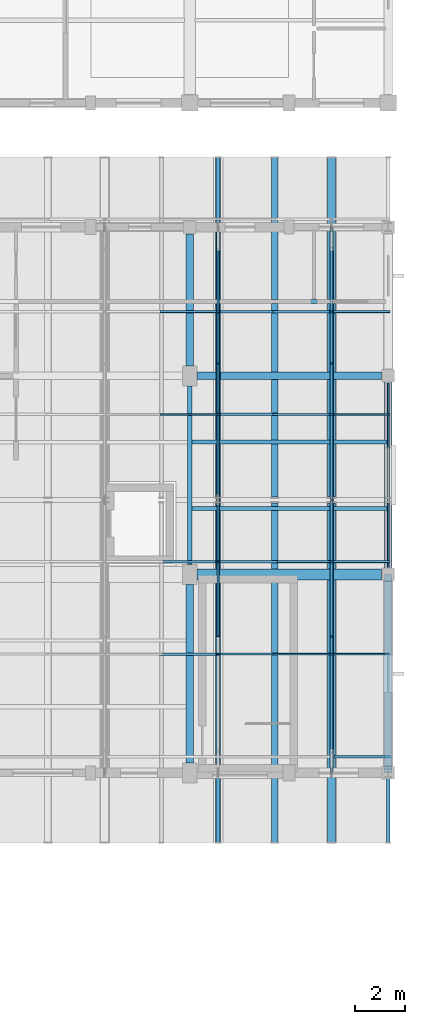
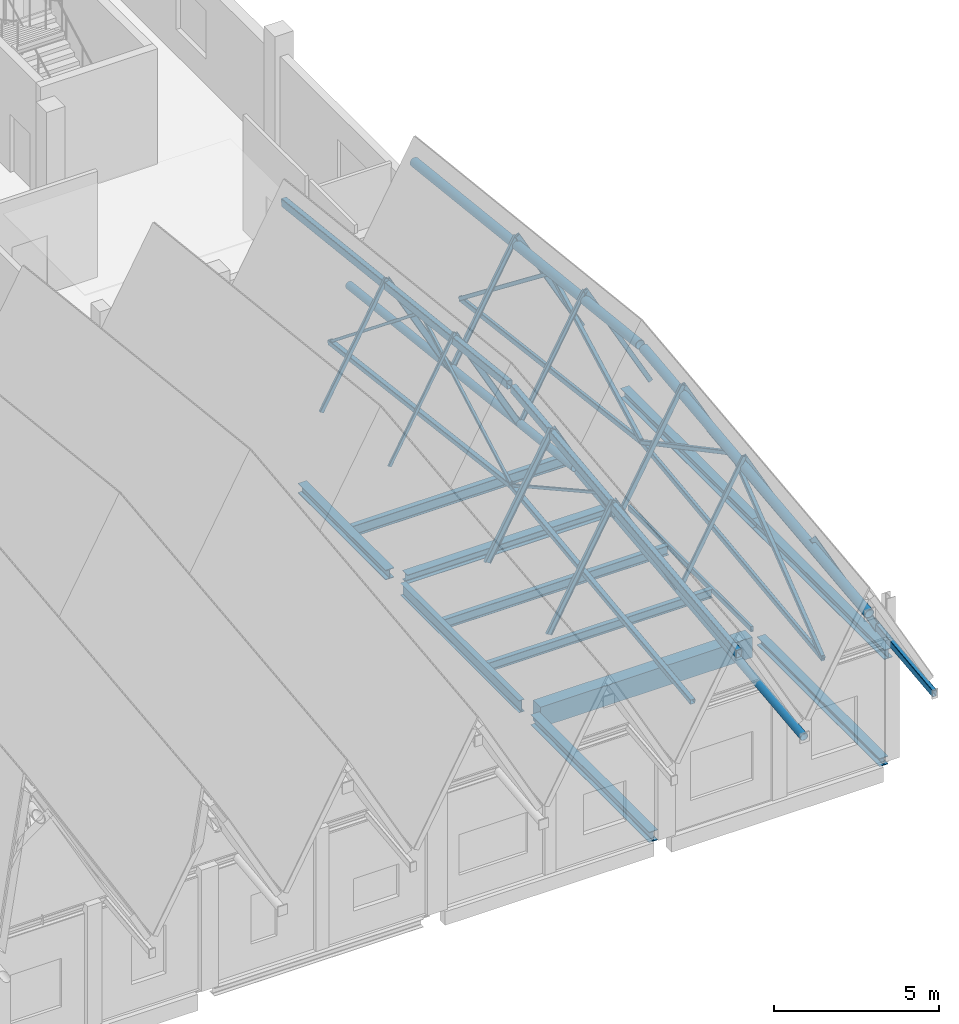
# One storey, part 21 of 48: 28 members, 19 beams.
"""IFC4 building model written with IfcOpenShell, lengths in metres."""

from ifc_helpers import new_model, si_unit, direction, frame, origin, origin_2d, place, context, subcontext, project, spatial, rectangle, hollow_rectangle, hollow_circle, i_section, extrude, material, material_profile, profile_set, type_object, element, save


model = new_model("IFC4")

# Units and contexts
model_context = context("Model", 3, precision=1e-05, world=origin(), true_north=direction((0.0, 1.0)))
body_context = subcontext(model_context, "Body", "Model", "MODEL_VIEW")
ifc_project = project(units=[si_unit("LENGTHUNIT", "METRE"), si_unit("AREAUNIT", "SQUARE_METRE"), si_unit("VOLUMEUNIT", "CUBIC_METRE"), si_unit("PLANEANGLEUNIT", "RADIAN"), si_unit("MASSUNIT", "GRAM", prefix="KILO")], contexts=[model_context])

# Site, building, storey
site_placement = place(None, origin())
site = spatial("IfcSite", under=ifc_project, at=site_placement, CompositionType="ELEMENT")
building_placement = place(site_placement, origin())
building = spatial("IfcBuilding", under=site, at=building_placement, Name="Luwemba Playhouse", CompositionType="ELEMENT")
storey_placement = place(building_placement, frame((0.0, 0.0, 13.800048828125)))
storey = spatial("IfcBuildingStorey", under=building, at=storey_placement, Name="L03", CompositionType="ELEMENT", Elevation=13.800048828125)

# Beams
ifc_material_1 = material(Name="Concrete C40/50", Category="concrete")
ifc_material_profile_1 = material_profile(ifc_material_1, rectangle(XDim=0.449951171875, YDim=0.75, at=origin_2d()))
ifc_profile_set_1 = profile_set([ifc_material_profile_1], Name="Concrete C40/50")
beam_type_1 = type_object("IfcBeamType", Name="BM-RB04", PredefinedType="BEAM", material=ifc_profile_set_1)
beam_1_placement = place(storey_placement, frame((164.300048828125, 76.0, -0.60498046875), z_axis=(1.0, 0.0, 0.0), x_axis=(0.0, 1.0, 0.0)))
element("IfcBeam", 1, at=beam_1_placement, inside=storey, type_object=beam_type_1, Name="L03 grid girder 0863", PredefinedType="BEAM", context=body_context, shape_type="SweptSolid", body=[
    extrude(rectangle(XDim=0.449951171875, YDim=0.75, at=origin_2d()), origin(), (0.0, 0.0, 1.0), 7.425048828125),
])
ifc_material_2 = material(Name="Steel S355", Category="steel")
ifc_material_profile_2 = material_profile(ifc_material_2, hollow_rectangle(XDim=0.14990234375, YDim=0.25, WallThickness=0.010009765625, InnerFilletRadius=0.014892578125, OuterFilletRadius=0.02490234375, at=origin_2d()))
ifc_profile_set_2 = profile_set([ifc_material_profile_2], Name="Steel S355")
beam_type_2 = type_object("IfcBeamType", Name="BM-RTG1", PredefinedType="USERDEFINED", material=ifc_profile_set_2)
beam_2_placement = place(storey_placement, frame((172.0, 65.199951171875, 4.000732421875), z_axis=(0.0, 0.99376734367, 0.111474062697), x_axis=(-1.0, 0.0, 0.0)))
element("IfcBeam", 2, at=beam_2_placement, inside=storey, type_object=beam_type_2, Name="ROOF TRUSS valley girder 0240", ObjectType="ROOF TRUSS", PredefinedType="USERDEFINED", context=body_context, shape_type="SweptSolid", body=[
    extrude(hollow_rectangle(XDim=0.14990234375, YDim=0.25, WallThickness=0.010009765625, InnerFilletRadius=0.014892578125, OuterFilletRadius=0.02490234375, at=origin_2d()), origin(), (0.0, 0.0, 1.0), 13.77587890625),
])
ifc_material_profile_3 = material_profile(ifc_material_2, hollow_rectangle(XDim=0.199951171875, YDim=0.300048828125, WallThickness=0.012451171875, InnerFilletRadius=0.018798828125, OuterFilletRadius=0.03125, at=origin_2d()))
ifc_profile_set_3 = profile_set([ifc_material_profile_3], Name="Steel S355")
beam_type_3 = type_object("IfcBeamType", Name="BM-RTG2", PredefinedType="USERDEFINED", material=ifc_profile_set_3)
for number, where, z_axis, x_axis, name in (
    (3, (165.142822265625, 65.199951171875, 7.876953125), (0.0, 0.993769306798, 0.111456560446), (-1.0, 0.0, 0.0), "ROOF TRUSS ridge girder 0234"),
    (4, (165.142822265625, 79.110107421875, 9.412353515625), (0.0, 0.993769306798, -0.111456560446), (-1.0, 0.0, 0.0), "ROOF TRUSS ridge girder 0235"),
):
    element("IfcBeam", number, at=place(storey_placement, frame(where, z_axis=z_axis, x_axis=x_axis)), inside=storey, type_object=beam_type_3, Name=name, ObjectType="ROOF TRUSS", PredefinedType="USERDEFINED", context=body_context, shape_type="SweptSolid", body=[
        extrude(hollow_rectangle(XDim=0.199951171875, YDim=0.300048828125, WallThickness=0.012451171875, InnerFilletRadius=0.018798828125, OuterFilletRadius=0.03125, at=origin_2d()), origin(), (0.0, 0.0, 1.0), 13.77587890625),
    ])
ifc_material_profile_4 = material_profile(ifc_material_2, hollow_circle(Radius=0.136474609375, WallThickness=0.012451171875, at=origin_2d()))
ifc_profile_set_4 = profile_set([ifc_material_profile_4], Name="Steel S355")
beam_type_4 = type_object("IfcBeamType", Name="BM-RTG3", PredefinedType="USERDEFINED", material=ifc_profile_set_4)
for number, where, z_axis, x_axis, name in (
    (5, (167.4287109375, 65.199951171875, 3.989501953125), (0.0, 0.993769306798, 0.111456560446), (-1.0, 0.0, 0.0), "ROOF TRUSS valley girder 0236"),
    (6, (167.4287109375, 79.110107421875, 5.52490234375), (0.0, 0.993769306798, -0.111456560446), (-1.0, 0.0, 0.0), "ROOF TRUSS valley girder 0237"),
):
    element("IfcBeam", number, at=place(storey_placement, frame(where, z_axis=z_axis, x_axis=x_axis)), inside=storey, type_object=beam_type_4, Name=name, ObjectType="ROOF TRUSS", PredefinedType="USERDEFINED", context=body_context, shape_type="SweptSolid", body=[
        extrude(hollow_circle(Radius=0.136474609375, WallThickness=0.012451171875, at=origin_2d()), origin(), (0.0, 0.0, 1.0), 13.77587890625),
    ])
ifc_material_profile_5 = material_profile(ifc_material_2, hollow_circle(Radius=0.161865234375, WallThickness=0.01611328125, at=origin_2d()))
ifc_profile_set_5 = profile_set([ifc_material_profile_5], Name="Steel S355")
beam_type_5 = type_object("IfcBeamType", Name="BM-RTG4", PredefinedType="USERDEFINED", material=ifc_profile_set_5)
for number, where, z_axis, x_axis, name in (
    (7, (169.71435546875, 65.199951171875, 7.751953125), (0.0, 0.99376734367, 0.111474062697), (-1.0, 0.0, 0.0), "ROOF TRUSS ridge girder 0238"),
    (8, (169.71435546875, 79.110107421875, 9.28759765625), (0.0, 0.99376734367, -0.111474062697), (-1.0, 0.0, 0.0), "ROOF TRUSS ridge girder 0239"),
):
    element("IfcBeam", number, at=place(storey_placement, frame(where, z_axis=z_axis, x_axis=x_axis)), inside=storey, type_object=beam_type_5, Name=name, ObjectType="ROOF TRUSS", PredefinedType="USERDEFINED", context=body_context, shape_type="SweptSolid", body=[
        extrude(hollow_circle(Radius=0.161865234375, WallThickness=0.01611328125, at=origin_2d()), origin(), (0.0, 0.0, 1.0), 13.77587890625),
    ])
ifc_material_profile_6 = material_profile(ifc_material_2, i_section(OverallWidth=0.300048828125, OverallDepth=0.330078125, WebThickness=0.009521484375, FlangeThickness=0.0166015625, FilletRadius=0.027099609375, at=origin_2d()))
ifc_profile_set_6 = profile_set([ifc_material_profile_6], Name="Steel S355")
beam_type_6 = type_object("IfcBeamType", Name="BM-SB04", PredefinedType="BEAM", material=ifc_profile_set_6)
beam_3_placement = place(storey_placement, frame((164.300048828125, 84.0, -0.39501953125), z_axis=(1.0, 0.0, 0.0), x_axis=(0.0, 1.0, 0.0)))
element("IfcBeam", 9, at=beam_3_placement, inside=storey, type_object=beam_type_6, Name="L03 grid girder 0867", PredefinedType="BEAM", context=body_context, shape_type="SweptSolid", body=[
    extrude(i_section(OverallWidth=0.300048828125, OverallDepth=0.330078125, WebThickness=0.009521484375, FlangeThickness=0.0166015625, FilletRadius=0.027099609375, at=origin_2d()), origin(), (0.0, 0.0, 1.0), 7.425048828125),
])
ifc_material_profile_7 = material_profile(ifc_material_2, i_section(OverallWidth=0.300048828125, OverallDepth=0.389892578125, WebThickness=0.010986328125, FlangeThickness=0.01904296875, FilletRadius=0.027099609375, at=origin_2d()))
ifc_profile_set_7 = profile_set([ifc_material_profile_7], Name="Steel S355")
beam_type_7 = type_object("IfcBeamType", Name="BM-SB05", PredefinedType="BEAM", material=ifc_profile_set_7)
beam_4_placement = place(storey_placement, frame((164.0, 68.39990234375, -0.425048828125), z_axis=(0.0, 1.0, 0.0), x_axis=(-1.0, 0.0, 0.0)))
element("IfcBeam", 10, at=beam_4_placement, inside=storey, type_object=beam_type_7, Name="L03 transverse girder 0879", PredefinedType="BEAM", context=body_context, shape_type="SweptSolid", body=[
    extrude(i_section(OverallWidth=0.300048828125, OverallDepth=0.389892578125, WebThickness=0.010986328125, FlangeThickness=0.01904296875, FilletRadius=0.027099609375, at=origin_2d()), origin(), (0.0, 0.0, 1.0), 7.2001953125),
])
ifc_material_profile_8 = material_profile(ifc_material_2, i_section(OverallWidth=0.18994140625, OverallDepth=0.449951171875, WebThickness=0.009521484375, FlangeThickness=0.0146484375, FilletRadius=0.02099609375, at=origin_2d()))
ifc_profile_set_8 = profile_set([ifc_material_profile_8], Name="Steel S355")
beam_type_8 = type_object("IfcBeamType", Name="BM-SB06", PredefinedType="BEAM", material=ifc_profile_set_8)
beam_5_placement = place(storey_placement, frame((164.0, 76.39990234375, -0.455078125), z_axis=(0.0, 1.0, 0.0), x_axis=(-1.0, 0.0, 0.0)))
element("IfcBeam", 11, at=beam_5_placement, inside=storey, type_object=beam_type_8, Name="L03 transverse girder 0880", PredefinedType="BEAM", context=body_context, shape_type="SweptSolid", body=[
    extrude(i_section(OverallWidth=0.18994140625, OverallDepth=0.449951171875, WebThickness=0.009521484375, FlangeThickness=0.0146484375, FilletRadius=0.02099609375, at=origin_2d()), origin(), (0.0, 0.0, 1.0), 7.2001953125),
])
ifc_material_profile_9 = material_profile(ifc_material_2, i_section(OverallWidth=0.300048828125, OverallDepth=0.360107421875, WebThickness=0.012451171875, FlangeThickness=0.0224609375, FilletRadius=0.027099609375, at=origin_2d()))
ifc_profile_set_9 = profile_set([ifc_material_profile_9], Name="Steel S355")
beam_type_9 = type_object("IfcBeamType", Name="BM-SB09", PredefinedType="BEAM", material=ifc_profile_set_9)
beam_6_placement = place(storey_placement, frame((164.0, 84.39990234375, -0.41015625), z_axis=(0.0, 1.0, 0.0), x_axis=(-1.0, 0.0, 0.0)))
element("IfcBeam", 12, at=beam_6_placement, inside=storey, type_object=beam_type_9, Name="L03 transverse girder 0881", PredefinedType="BEAM", context=body_context, shape_type="SweptSolid", body=[
    extrude(i_section(OverallWidth=0.300048828125, OverallDepth=0.360107421875, WebThickness=0.012451171875, FlangeThickness=0.0224609375, FilletRadius=0.027099609375, at=origin_2d()), origin(), (0.0, 0.0, 1.0), 5.3251953125),
])
for number, where, z_axis, x_axis, name in (
    (13, (172.0, 68.0, 3.780029296875), (0.0, 1.0, 0.0), (-1.0, 0.0, 0.0), "RF-V4 gable ring beam 0206"),
    (14, (172.0, 76.0, 3.780029296875), (0.0, 1.0, 0.0), (-1.0, 0.0, 0.0), "RF-V4 gable ring beam 0207"),
):
    element("IfcBeam", number, at=place(storey_placement, frame(where, z_axis=z_axis, x_axis=x_axis)), inside=storey, type_object=beam_type_9, Name=name, PredefinedType="BEAM", context=body_context, shape_type="SweptSolid", body=[
        extrude(i_section(OverallWidth=0.300048828125, OverallDepth=0.360107421875, WebThickness=0.012451171875, FlangeThickness=0.0224609375, FilletRadius=0.027099609375, at=origin_2d()), origin(), (0.0, 0.0, 1.0), 8.0),
    ])
ifc_material_profile_10 = material_profile(ifc_material_2, i_section(OverallWidth=0.159912109375, OverallDepth=0.330078125, WebThickness=0.007568359375, FlangeThickness=0.011474609375, FilletRadius=0.01806640625, at=origin_2d()))
ifc_profile_set_10 = profile_set([ifc_material_profile_10], Name="Steel S355")
beam_type_10 = type_object("IfcBeamType", Name="BM-SJ06", PredefinedType="JOIST", material=ifc_profile_set_10)
beam_7_placement = place(storey_placement, frame((164.091064453125, 78.666748046875, -0.39501953125), z_axis=(1.0, 0.0, 0.0), x_axis=(0.0, 1.0, 0.0)))
element("IfcBeam", 15, at=beam_7_placement, inside=storey, type_object=beam_type_10, Name="L03 composite floor joist 0503", PredefinedType="JOIST", context=body_context, shape_type="SweptSolid", body=[
    extrude(i_section(OverallWidth=0.159912109375, OverallDepth=0.330078125, WebThickness=0.007568359375, FlangeThickness=0.011474609375, FilletRadius=0.01806640625, at=origin_2d()), origin(), (0.0, 0.0, 1.0), 7.863037109375),
])
ifc_material_profile_11 = material_profile(ifc_material_2, i_section(OverallWidth=0.169921875, OverallDepth=0.360107421875, WebThickness=0.008056640625, FlangeThickness=0.0126953125, FilletRadius=0.01806640625, at=origin_2d()))
ifc_profile_set_11 = profile_set([ifc_material_profile_11], Name="Steel S355")
beam_type_11 = type_object("IfcBeamType", Name="BM-SJ07", PredefinedType="JOIST", material=ifc_profile_set_11)
beam_8_placement = place(storey_placement, frame((164.091064453125, 81.333251953125, -0.41015625), z_axis=(1.0, 0.0, 0.0), x_axis=(0.0, 1.0, 0.0)))
element("IfcBeam", 16, at=beam_8_placement, inside=storey, type_object=beam_type_11, Name="L03 composite floor joist 0504", PredefinedType="JOIST", context=body_context, shape_type="SweptSolid", body=[
    extrude(i_section(OverallWidth=0.169921875, OverallDepth=0.360107421875, WebThickness=0.008056640625, FlangeThickness=0.0126953125, FilletRadius=0.01806640625, at=origin_2d()), origin(), (0.0, 0.0, 1.0), 7.863037109375),
])
ifc_material_profile_12 = material_profile(ifc_material_2, i_section(OverallWidth=0.179931640625, OverallDepth=0.39990234375, WebThickness=0.008544921875, FlangeThickness=0.013427734375, FilletRadius=0.02099609375, at=origin_2d()))
ifc_profile_set_12 = profile_set([ifc_material_profile_12], Name="Steel S355")
beam_type_12 = type_object("IfcBeamType", Name="BM-SJ08", PredefinedType="JOIST", material=ifc_profile_set_12)
beam_9_placement = place(storey_placement, frame((164.14599609375, 87.0, -0.429931640625), z_axis=(1.0, 0.0, 0.0), x_axis=(0.0, 1.0, 0.0)))
element("IfcBeam", 17, at=beam_9_placement, inside=storey, type_object=beam_type_12, Name="L03 composite floor joist 0505", PredefinedType="JOIST", context=body_context, shape_type="SweptSolid", body=[
    extrude(i_section(OverallWidth=0.179931640625, OverallDepth=0.39990234375, WebThickness=0.008544921875, FlangeThickness=0.013427734375, FilletRadius=0.02099609375, at=origin_2d()), origin(), (0.0, 0.0, 1.0), 7.68310546875),
])
ifc_material_profile_13 = material_profile(ifc_material_2, i_section(OverallWidth=0.300048828125, OverallDepth=0.300048828125, WebThickness=0.010986328125, FlangeThickness=0.01904296875, FilletRadius=0.027099609375, at=origin_2d()))
ifc_profile_set_13 = profile_set([ifc_material_profile_13], Name="Steel S355")
beam_type_13 = type_object("IfcBeamType", Name="BM-SSP1", PredefinedType="SPANDREL", material=ifc_profile_set_13)
beam_10_placement = place(storey_placement, frame((172.0, 68.27490234375, -0.380126953125), z_axis=(0.0, 1.0, 0.0), x_axis=(-1.0, 0.0, 0.0)))
element("IfcBeam", 18, at=beam_10_placement, inside=storey, type_object=beam_type_13, Name="L03 transverse girder 0882", PredefinedType="SPANDREL", context=body_context, shape_type="SweptSolid", body=[
    extrude(i_section(OverallWidth=0.300048828125, OverallDepth=0.300048828125, WebThickness=0.010986328125, FlangeThickness=0.01904296875, FilletRadius=0.027099609375, at=origin_2d()), origin(), (0.0, 0.0, 1.0), 7.4501953125),
])
ifc_material_profile_14 = material_profile(ifc_material_2, hollow_rectangle(XDim=0.10009765625, YDim=0.199951171875, WallThickness=0.008056640625, InnerFilletRadius=0.011962890625, OuterFilletRadius=0.02001953125, at=origin_2d()))
ifc_profile_set_14 = profile_set([ifc_material_profile_14], Name="Steel S355")
beam_type_14 = type_object("IfcBeamType", Name="BM-SSP2", PredefinedType="SPANDREL", material=ifc_profile_set_14)
beam_11_placement = place(storey_placement, frame((172.0, 76.27490234375, -0.330078125), z_axis=(0.0, 1.0, 0.0), x_axis=(-1.0, 0.0, 0.0)))
element("IfcBeam", 19, at=beam_11_placement, inside=storey, type_object=beam_type_14, Name="L03 transverse girder 0883", PredefinedType="SPANDREL", context=body_context, shape_type="SweptSolid", body=[
    extrude(hollow_rectangle(XDim=0.10009765625, YDim=0.199951171875, WallThickness=0.008056640625, InnerFilletRadius=0.011962890625, OuterFilletRadius=0.02001953125, at=origin_2d()), origin(), (0.0, 0.0, 1.0), 7.4501953125),
])

# Members
ifc_material_profile_15 = material_profile(ifc_material_2, hollow_rectangle(XDim=0.10009765625, YDim=0.10009765625, WallThickness=0.00634765625, InnerFilletRadius=0.009521484375, OuterFilletRadius=0.015869140625, at=origin_2d()))
ifc_profile_set_15 = profile_set([ifc_material_profile_15], Name="Steel S355")
member_type_1 = type_object("IfcMemberType", Name="MEM-MB05", PredefinedType="BRACE", material=ifc_profile_set_15)
for number, where, z_axis, x_axis, name in (
    (20, (165.142822265625, 79.0, 5.753662109375), (0.0, -0.874248787032, 0.485478174972), (1.0, 0.0, 0.0), "ROOF TRUSS web diagonal 0214"),
    (21, (165.142822265625, 79.0, 5.753662109375), (0.0, 0.874248787032, 0.485478174972), (-1.0, 0.0, 0.0), "ROOF TRUSS web diagonal 0215"),
):
    element("IfcMember", number, at=place(storey_placement, frame(where, z_axis=z_axis, x_axis=x_axis)), inside=storey, type_object=member_type_1, Name=name, PredefinedType="BRACE", context=body_context, shape_type="SweptSolid", body=[
        extrude(hollow_rectangle(XDim=0.10009765625, YDim=0.10009765625, WallThickness=0.00634765625, InnerFilletRadius=0.009521484375, OuterFilletRadius=0.015869140625, at=origin_2d()), origin(), (0.0, 0.0, 1.0), 6.291015625),
    ])
member_1_placement = place(storey_placement, frame((165.142822265625, 90.0, 4.39990234375), z_axis=(0.0, -0.780317682275, 0.625383334227), x_axis=(1.0, 0.0, 0.0)))
element("IfcMember", 22, at=member_1_placement, inside=storey, type_object=member_type_1, Name="ROOF TRUSS web diagonal 0216", PredefinedType="BRACE", context=body_context, shape_type="SweptSolid", body=[
    extrude(hollow_rectangle(XDim=0.10009765625, YDim=0.10009765625, WallThickness=0.00634765625, InnerFilletRadius=0.009521484375, OuterFilletRadius=0.015869140625, at=origin_2d()), origin(), (0.0, 0.0, 1.0), 7.04833984375),
])
ifc_material_profile_16 = material_profile(ifc_material_2, hollow_rectangle(XDim=0.139892578125, YDim=0.139892578125, WallThickness=0.008056640625, InnerFilletRadius=0.011962890625, OuterFilletRadius=0.02001953125, at=origin_2d()))
ifc_profile_set_16 = profile_set([ifc_material_profile_16], Name="Steel S355")
member_type_2 = type_object("IfcMemberType", Name="MEM-MB07", PredefinedType="BRACE", material=ifc_profile_set_16)
member_2_placement = place(storey_placement, frame((169.71435546875, 68.0, 4.39990234375), z_axis=(0.0, 0.788974908765, 0.614425417231), x_axis=(-1.0, 0.0, 0.0)))
element("IfcMember", 23, at=member_2_placement, inside=storey, type_object=member_type_2, Name="ROOF TRUSS web diagonal 0219", PredefinedType="BRACE", context=body_context, shape_type="SweptSolid", body=[
    extrude(hollow_rectangle(XDim=0.139892578125, YDim=0.139892578125, WallThickness=0.008056640625, InnerFilletRadius=0.011962890625, OuterFilletRadius=0.02001953125, at=origin_2d()), origin(), (0.0, 0.0, 1.0), 6.97119140625),
])
for number, where, z_axis, x_axis, name in (
    (24, (169.71435546875, 79.0, 5.753662109375), (0.0, -0.882612008669, 0.4701021614), (1.0, 0.0, 0.0), "ROOF TRUSS web diagonal 0220"),
    (25, (169.71435546875, 79.0, 5.753662109375), (0.0, 0.882612008669, 0.4701021614), (-1.0, 0.0, 0.0), "ROOF TRUSS web diagonal 0221"),
):
    element("IfcMember", number, at=place(storey_placement, frame(where, z_axis=z_axis, x_axis=x_axis)), inside=storey, type_object=member_type_2, Name=name, PredefinedType="BRACE", context=body_context, shape_type="SweptSolid", body=[
        extrude(hollow_rectangle(XDim=0.139892578125, YDim=0.139892578125, WallThickness=0.008056640625, InnerFilletRadius=0.011962890625, OuterFilletRadius=0.02001953125, at=origin_2d()), origin(), (0.0, 0.0, 1.0), 6.2314453125),
    ])
member_3_placement = place(storey_placement, frame((169.71435546875, 90.0, 4.39990234375), z_axis=(0.0, -0.788974908765, 0.614425417231), x_axis=(1.0, 0.0, 0.0)))
element("IfcMember", 26, at=member_3_placement, inside=storey, type_object=member_type_2, Name="ROOF TRUSS web diagonal 0222", PredefinedType="BRACE", context=body_context, shape_type="SweptSolid", body=[
    extrude(hollow_rectangle(XDim=0.139892578125, YDim=0.139892578125, WallThickness=0.008056640625, InnerFilletRadius=0.011962890625, OuterFilletRadius=0.02001953125, at=origin_2d()), origin(), (0.0, 0.0, 1.0), 6.97119140625),
])
ifc_material_profile_17 = material_profile(ifc_material_2, hollow_rectangle(XDim=0.179931640625, YDim=0.179931640625, WallThickness=0.010009765625, InnerFilletRadius=0.014892578125, OuterFilletRadius=0.02490234375, at=origin_2d()))
ifc_profile_set_17 = profile_set([ifc_material_profile_17], Name="Steel S355")
member_type_3 = type_object("IfcMemberType", Name="MEM-MC03", PredefinedType="CHORD", material=ifc_profile_set_17)
for number, where, z_axis, x_axis, name in (
    (27, (165.142822265625, 68.0, 4.39990234375), (0.0, 0.992511955912, 0.122147522983), (-1.0, 0.0, 0.0), "ROOF TRUSS south bottom chord 0211"),
    (28, (165.142822265625, 79.0, 5.753662109375), (0.0, 0.992511955912, -0.122147522983), (-1.0, 0.0, 0.0), "ROOF TRUSS north bottom chord 0212"),
):
    element("IfcMember", number, at=place(storey_placement, frame(where, z_axis=z_axis, x_axis=x_axis)), inside=storey, type_object=member_type_3, Name=name, PredefinedType="CHORD", context=body_context, shape_type="SweptSolid", body=[
        extrude(hollow_rectangle(XDim=0.179931640625, YDim=0.179931640625, WallThickness=0.010009765625, InnerFilletRadius=0.014892578125, OuterFilletRadius=0.02490234375, at=origin_2d()), origin(), (0.0, 0.0, 1.0), 11.0830078125),
    ])
ifc_material_profile_18 = material_profile(ifc_material_2, hollow_rectangle(XDim=0.1201171875, YDim=0.199951171875, WallThickness=0.010009765625, InnerFilletRadius=0.014892578125, OuterFilletRadius=0.02490234375, at=origin_2d()))
ifc_profile_set_18 = profile_set([ifc_material_profile_18], Name="Steel S355")
member_type_4 = type_object("IfcMemberType", Name="MEM-MC05", PredefinedType="CHORD", material=ifc_profile_set_18)
for number, where, z_axis, x_axis, name in (
    (29, (169.71435546875, 68.0, 4.39990234375), (0.0, 0.992511955912, 0.122147522983), (-1.0, 0.0, 0.0), "ROOF TRUSS south bottom chord 0217"),
    (30, (169.71435546875, 79.0, 5.753662109375), (0.0, 0.992511955912, -0.122147522983), (-1.0, 0.0, 0.0), "ROOF TRUSS north bottom chord 0218"),
):
    element("IfcMember", number, at=place(storey_placement, frame(where, z_axis=z_axis, x_axis=x_axis)), inside=storey, type_object=member_type_4, Name=name, PredefinedType="CHORD", context=body_context, shape_type="SweptSolid", body=[
        extrude(hollow_rectangle(XDim=0.1201171875, YDim=0.199951171875, WallThickness=0.010009765625, InnerFilletRadius=0.014892578125, OuterFilletRadius=0.02490234375, at=origin_2d()), origin(), (0.0, 0.0, 1.0), 11.0830078125),
    ])
ifc_material_profile_19 = material_profile(ifc_material_2, hollow_rectangle(XDim=0.080078125, YDim=0.1201171875, WallThickness=0.00634765625, InnerFilletRadius=0.009521484375, OuterFilletRadius=0.015869140625, at=origin_2d()))
ifc_profile_set_19 = profile_set([ifc_material_profile_19], Name="Steel S355")
member_type_5 = type_object("IfcMemberType", Name="MEM-MP01", PredefinedType="PURLIN", material=ifc_profile_set_19)
member_4_placement = place(storey_placement, frame((162.857177734375, 82.449951171875, 5.158935546875), z_axis=(0.480981676724, 0.0, 0.876730646582), x_axis=(0.0, 1.0, 0.0)))
element("IfcMember", 31, at=member_4_placement, inside=storey, type_object=member_type_5, Name="Pleated roof purlin 0424", PredefinedType="PURLIN", context=body_context, shape_type="SweptSolid", body=[
    extrude(hollow_rectangle(XDim=0.080078125, YDim=0.1201171875, WallThickness=0.00634765625, InnerFilletRadius=0.009521484375, OuterFilletRadius=0.015869140625, at=origin_2d()), origin(), (0.0, 0.0, 1.0), 4.751953125),
])
member_5_placement = place(storey_placement, frame((169.71435546875, 72.7900390625, 9.015380859375), z_axis=(0.48100334235, 0.0, -0.876718760292), x_axis=(0.0, 1.0, 0.0)))
element("IfcMember", 32, at=member_5_placement, inside=storey, type_object=member_type_5, Name="Pleated roof purlin 0440", PredefinedType="PURLIN", context=body_context, shape_type="SweptSolid", body=[
    extrude(hollow_rectangle(XDim=0.080078125, YDim=0.1201171875, WallThickness=0.00634765625, InnerFilletRadius=0.009521484375, OuterFilletRadius=0.015869140625, at=origin_2d()), origin(), (0.0, 0.0, 1.0), 4.751708984375),
])
ifc_material_profile_20 = material_profile(ifc_material_2, hollow_rectangle(XDim=0.10009765625, YDim=0.14990234375, WallThickness=0.008056640625, InnerFilletRadius=0.011962890625, OuterFilletRadius=0.02001953125, at=origin_2d()))
ifc_profile_set_20 = profile_set([ifc_material_profile_20], Name="Steel S355")
member_type_6 = type_object("IfcMemberType", Name="MEM-MP02", PredefinedType="PURLIN", material=ifc_profile_set_20)
member_6_placement = place(storey_placement, frame((162.857177734375, 86.590087890625, 4.6611328125), z_axis=(0.480960012757, 0.0, 0.876742531265), x_axis=(0.0, 1.0, 0.0)))
element("IfcMember", 33, at=member_6_placement, inside=storey, type_object=member_type_6, Name="Pleated roof purlin 0425", PredefinedType="PURLIN", context=body_context, shape_type="SweptSolid", body=[
    extrude(hollow_rectangle(XDim=0.10009765625, YDim=0.14990234375, WallThickness=0.008056640625, InnerFilletRadius=0.011962890625, OuterFilletRadius=0.02001953125, at=origin_2d()), origin(), (0.0, 0.0, 1.0), 4.752197265625),
])
member_7_placement = place(storey_placement, frame((169.71435546875, 76.51611328125, 9.400146484375), z_axis=(0.48100334235, 0.0, -0.876718760292), x_axis=(0.0, 1.0, 0.0)))
element("IfcMember", 34, at=member_7_placement, inside=storey, type_object=member_type_6, Name="Pleated roof purlin 0441", PredefinedType="PURLIN", context=body_context, shape_type="SweptSolid", body=[
    extrude(hollow_rectangle(XDim=0.10009765625, YDim=0.14990234375, WallThickness=0.008056640625, InnerFilletRadius=0.011962890625, OuterFilletRadius=0.02001953125, at=origin_2d()), origin(), (0.0, 0.0, 1.0), 4.751708984375),
])
ifc_material_profile_21 = material_profile(ifc_material_2, hollow_rectangle(XDim=0.080078125, YDim=0.159912109375, WallThickness=0.00634765625, InnerFilletRadius=0.009521484375, OuterFilletRadius=0.015869140625, at=origin_2d()))
ifc_profile_set_21 = profile_set([ifc_material_profile_21], Name="Steel S355")
member_type_7 = type_object("IfcMemberType", Name="MEM-MP03", PredefinedType="PURLIN", material=ifc_profile_set_21)
member_8_placement = place(storey_placement, frame((167.4287109375, 72.7900390625, 4.829345703125), z_axis=(0.480981676724, 0.0, 0.876730646582), x_axis=(0.0, 1.0, 0.0)))
element("IfcMember", 35, at=member_8_placement, inside=storey, type_object=member_type_7, Name="Pleated roof purlin 0434", PredefinedType="PURLIN", context=body_context, shape_type="SweptSolid", body=[
    extrude(hollow_rectangle(XDim=0.080078125, YDim=0.159912109375, WallThickness=0.00634765625, InnerFilletRadius=0.009521484375, OuterFilletRadius=0.015869140625, at=origin_2d()), origin(), (0.0, 0.0, 1.0), 4.751953125),
])
member_9_placement = place(storey_placement, frame((169.71435546875, 82.449951171875, 9.304931640625), z_axis=(0.48100334235, 0.0, -0.876718760292), x_axis=(0.0, 1.0, 0.0)))
element("IfcMember", 36, at=member_9_placement, inside=storey, type_object=member_type_7, Name="Pleated roof purlin 0442", PredefinedType="PURLIN", context=body_context, shape_type="SweptSolid", body=[
    extrude(hollow_rectangle(XDim=0.080078125, YDim=0.159912109375, WallThickness=0.00634765625, InnerFilletRadius=0.009521484375, OuterFilletRadius=0.015869140625, at=origin_2d()), origin(), (0.0, 0.0, 1.0), 4.751708984375),
])
ifc_material_profile_22 = material_profile(ifc_material_2, hollow_rectangle(XDim=0.10009765625, YDim=0.179931640625, WallThickness=0.008056640625, InnerFilletRadius=0.011962890625, OuterFilletRadius=0.02001953125, at=origin_2d()))
ifc_profile_set_22 = profile_set([ifc_material_profile_22], Name="Steel S355")
member_type_8 = type_object("IfcMemberType", Name="MEM-MP04", PredefinedType="PURLIN", material=ifc_profile_set_22)
for number, where, z_axis, x_axis, name in (
    (37, (167.4287109375, 76.51611328125, 5.218994140625), (0.480981676724, 0.0, 0.876730646582), (0.0, 1.0, 0.0), "Pleated roof purlin 0435"),
    (38, (169.71435546875, 86.590087890625, 8.8125), (0.480981676724, 0.0, -0.876730646582), (0.0, 1.0, 0.0), "Pleated roof purlin 0443"),
):
    element("IfcMember", number, at=place(storey_placement, frame(where, z_axis=z_axis, x_axis=x_axis)), inside=storey, type_object=member_type_8, Name=name, PredefinedType="PURLIN", context=body_context, shape_type="SweptSolid", body=[
        extrude(hollow_rectangle(XDim=0.10009765625, YDim=0.179931640625, WallThickness=0.008056640625, InnerFilletRadius=0.011962890625, OuterFilletRadius=0.02001953125, at=origin_2d()), origin(), (0.0, 0.0, 1.0), 4.751953125),
    ])
ifc_material_profile_23 = material_profile(ifc_material_2, i_section(OverallWidth=0.08203125, OverallDepth=0.159912109375, WebThickness=0.0048828125, FlangeThickness=0.00732421875, FilletRadius=0.009033203125, at=origin_2d()))
ifc_profile_set_23 = profile_set([ifc_material_profile_23], Name="Steel S355")
member_type_9 = type_object("IfcMemberType", Name="MEM-MP05", PredefinedType="PURLIN", material=ifc_profile_set_23)
member_10_placement = place(storey_placement, frame((165.142822265625, 72.7900390625, 8.99365234375), z_axis=(0.481021165728, 0.0, -0.876708981431), x_axis=(0.0, 1.0, 0.0)))
element("IfcMember", 39, at=member_10_placement, inside=storey, type_object=member_type_9, Name="Pleated roof purlin 0428", PredefinedType="PURLIN", context=body_context, shape_type="SweptSolid", body=[
    extrude(i_section(OverallWidth=0.08203125, OverallDepth=0.159912109375, WebThickness=0.0048828125, FlangeThickness=0.00732421875, FilletRadius=0.009033203125, at=origin_2d()), origin(), (0.0, 0.0, 1.0), 4.752197265625),
])
member_11_placement = place(storey_placement, frame((167.4287109375, 82.449951171875, 5.13720703125), z_axis=(0.48100334235, 0.0, 0.876718760292), x_axis=(0.0, 1.0, 0.0)))
element("IfcMember", 40, at=member_11_placement, inside=storey, type_object=member_type_9, Name="Pleated roof purlin 0436", PredefinedType="PURLIN", context=body_context, shape_type="SweptSolid", body=[
    extrude(i_section(OverallWidth=0.08203125, OverallDepth=0.159912109375, WebThickness=0.0048828125, FlangeThickness=0.00732421875, FilletRadius=0.009033203125, at=origin_2d()), origin(), (0.0, 0.0, 1.0), 4.751708984375),
])
ifc_material_profile_24 = material_profile(ifc_material_2, i_section(OverallWidth=0.091064453125, OverallDepth=0.179931640625, WebThickness=0.00537109375, FlangeThickness=0.008056640625, FilletRadius=0.009033203125, at=origin_2d()))
ifc_profile_set_24 = profile_set([ifc_material_profile_24], Name="Steel S355")
member_type_10 = type_object("IfcMemberType", Name="MEM-MP06", PredefinedType="PURLIN", material=ifc_profile_set_24)
member_12_placement = place(storey_placement, frame((165.142822265625, 76.51611328125, 9.393310546875), z_axis=(0.481021165728, 0.0, -0.876708981431), x_axis=(0.0, 1.0, 0.0)))
element("IfcMember", 41, at=member_12_placement, inside=storey, type_object=member_type_10, Name="Pleated roof purlin 0429", PredefinedType="PURLIN", context=body_context, shape_type="SweptSolid", body=[
    extrude(i_section(OverallWidth=0.091064453125, OverallDepth=0.179931640625, WebThickness=0.00537109375, FlangeThickness=0.008056640625, FilletRadius=0.009033203125, at=origin_2d()), origin(), (0.0, 0.0, 1.0), 4.752197265625),
])
member_13_placement = place(storey_placement, frame((167.4287109375, 86.590087890625, 4.654541015625), z_axis=(0.480981676724, 0.0, 0.876730646582), x_axis=(0.0, 1.0, 0.0)))
element("IfcMember", 42, at=member_13_placement, inside=storey, type_object=member_type_10, Name="Pleated roof purlin 0437", PredefinedType="PURLIN", context=body_context, shape_type="SweptSolid", body=[
    extrude(i_section(OverallWidth=0.091064453125, OverallDepth=0.179931640625, WebThickness=0.00537109375, FlangeThickness=0.008056640625, FilletRadius=0.009033203125, at=origin_2d()), origin(), (0.0, 0.0, 1.0), 4.751953125),
])
ifc_material_profile_25 = material_profile(ifc_material_2, i_section(OverallWidth=0.10009765625, OverallDepth=0.199951171875, WebThickness=0.005615234375, FlangeThickness=0.008544921875, FilletRadius=0.011962890625, at=origin_2d()))
ifc_profile_set_25 = profile_set([ifc_material_profile_25], Name="Steel S355")
member_type_11 = type_object("IfcMemberType", Name="MEM-MP07", PredefinedType="PURLIN", material=ifc_profile_set_25)
member_14_placement = place(storey_placement, frame((162.857177734375, 72.7900390625, 4.791015625), z_axis=(0.480981676724, 0.0, 0.876730646582), x_axis=(0.0, 1.0, 0.0)))
element("IfcMember", 43, at=member_14_placement, inside=storey, type_object=member_type_11, Name="Pleated roof purlin 0422", PredefinedType="PURLIN", context=body_context, shape_type="SweptSolid", body=[
    extrude(i_section(OverallWidth=0.10009765625, OverallDepth=0.199951171875, WebThickness=0.005615234375, FlangeThickness=0.008544921875, FilletRadius=0.011962890625, at=origin_2d()), origin(), (0.0, 0.0, 1.0), 4.751953125),
])
member_15_placement = place(storey_placement, frame((165.142822265625, 82.449951171875, 9.266845703125), z_axis=(0.481021165728, 0.0, -0.876708981431), x_axis=(0.0, 1.0, 0.0)))
element("IfcMember", 44, at=member_15_placement, inside=storey, type_object=member_type_11, Name="Pleated roof purlin 0430", PredefinedType="PURLIN", context=body_context, shape_type="SweptSolid", body=[
    extrude(i_section(OverallWidth=0.10009765625, OverallDepth=0.199951171875, WebThickness=0.005615234375, FlangeThickness=0.008544921875, FilletRadius=0.011962890625, at=origin_2d()), origin(), (0.0, 0.0, 1.0), 4.752197265625),
])
ifc_material_profile_26 = material_profile(ifc_material_2, i_section(OverallWidth=0.110107421875, OverallDepth=0.219970703125, WebThickness=0.005859375, FlangeThickness=0.00927734375, FilletRadius=0.011962890625, at=origin_2d()))
ifc_profile_set_26 = profile_set([ifc_material_profile_26], Name="Steel S355")
member_type_12 = type_object("IfcMemberType", Name="MEM-MP08", PredefinedType="PURLIN", material=ifc_profile_set_26)
member_16_placement = place(storey_placement, frame((162.857177734375, 76.51611328125, 5.18994140625), z_axis=(0.480981676724, 0.0, 0.876730646582), x_axis=(0.0, 1.0, 0.0)))
element("IfcMember", 45, at=member_16_placement, inside=storey, type_object=member_type_12, Name="Pleated roof purlin 0423", PredefinedType="PURLIN", context=body_context, shape_type="SweptSolid", body=[
    extrude(i_section(OverallWidth=0.110107421875, OverallDepth=0.219970703125, WebThickness=0.005859375, FlangeThickness=0.00927734375, FilletRadius=0.011962890625, at=origin_2d()), origin(), (0.0, 0.0, 1.0), 4.751953125),
])
member_17_placement = place(storey_placement, frame((165.142822265625, 86.590087890625, 8.783447265625), z_axis=(0.481021165728, 0.0, -0.876708981431), x_axis=(0.0, 1.0, 0.0)))
element("IfcMember", 46, at=member_17_placement, inside=storey, type_object=member_type_12, Name="Pleated roof purlin 0431", PredefinedType="PURLIN", context=body_context, shape_type="SweptSolid", body=[
    extrude(i_section(OverallWidth=0.110107421875, OverallDepth=0.219970703125, WebThickness=0.005859375, FlangeThickness=0.00927734375, FilletRadius=0.011962890625, at=origin_2d()), origin(), (0.0, 0.0, 1.0), 4.752197265625),
])
member_18_placement = place(storey_placement, frame((169.71435546875, 68.64990234375, 8.4736328125), z_axis=(0.48100334235, 0.0, -0.876718760292), x_axis=(0.0, 1.0, 0.0)))
element("IfcMember", 47, at=member_18_placement, inside=storey, type_object=member_type_12, Name="Pleated roof purlin 0439", PredefinedType="PURLIN", context=body_context, shape_type="SweptSolid", body=[
    extrude(i_section(OverallWidth=0.110107421875, OverallDepth=0.219970703125, WebThickness=0.005859375, FlangeThickness=0.00927734375, FilletRadius=0.011962890625, at=origin_2d()), origin(), (0.0, 0.0, 1.0), 4.751708984375),
])

save(model, "model.ifc")
